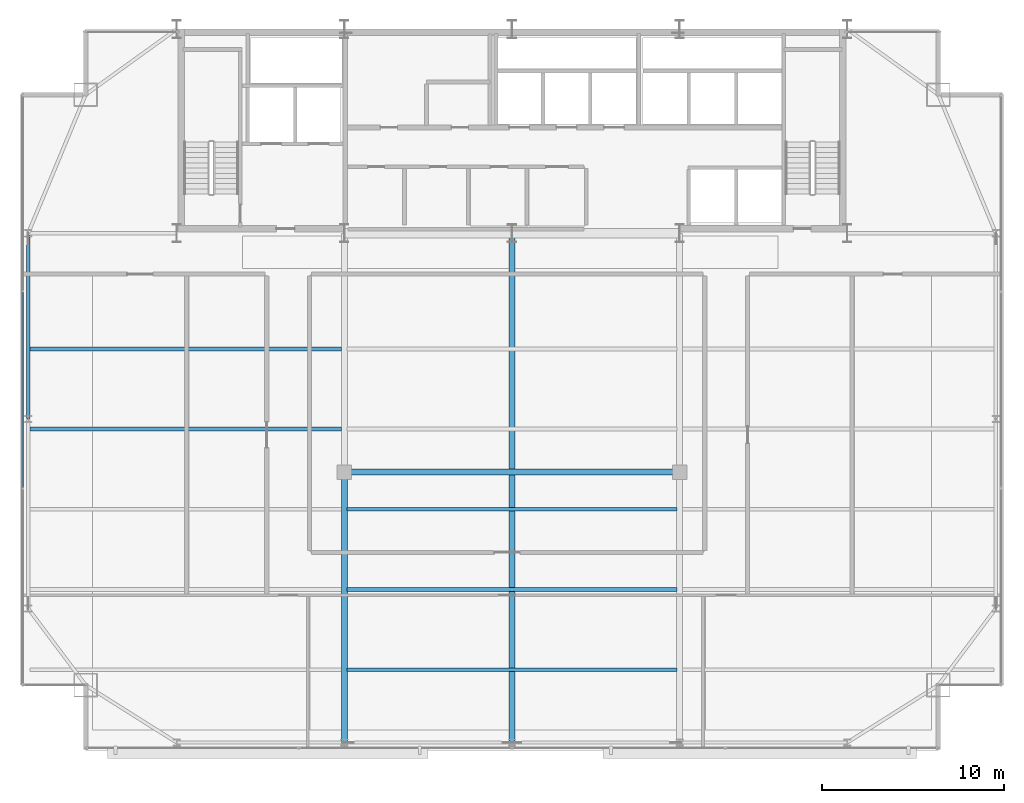
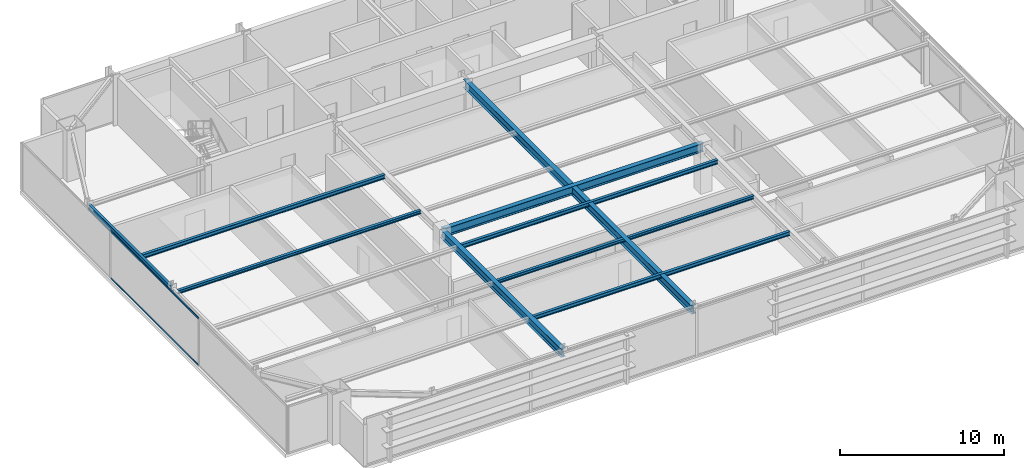
# One storey, part 10 of 29: 9 beams, 2 members, 1 element without a shape of its own.
"""IFC4 building model written with IfcOpenShell, lengths in metres."""

from ifc_helpers import new_model, si_unit, direction, frame, origin, origin_2d, place, context, subcontext, project, spatial, hollow_rectangle, i_section, extrude, source, transform, mapped, material, layer, layer_set, material_profile, profile_set, type_object, type_shapes, element, aggregate, save


model = new_model("IFC4")

# Units and contexts
model_context = context("Model", 3, precision=1e-05, world=origin(), true_north=direction((0.0, 1.0)))
body_context = subcontext(model_context, "Body", "Model", "MODEL_VIEW")
ifc_project = project(units=[si_unit("LENGTHUNIT", "METRE"), si_unit("AREAUNIT", "SQUARE_METRE"), si_unit("VOLUMEUNIT", "CUBIC_METRE"), si_unit("PLANEANGLEUNIT", "RADIAN"), si_unit("MASSUNIT", "GRAM", prefix="KILO")], contexts=[model_context])

# Site, building, storey
site_placement = place(None, origin())
site = spatial("IfcSite", under=ifc_project, at=site_placement, CompositionType="ELEMENT")
building_placement = place(site_placement, origin())
building = spatial("IfcBuilding", under=site, at=building_placement, Name="Varnel Quay Broadcast Tower", CompositionType="ELEMENT")
storey_placement = place(building_placement, frame((0.0, 0.0, 172.39990234375)))
storey = spatial("IfcBuildingStorey", under=building, at=storey_placement, Name="L42", CompositionType="ELEMENT", Elevation=172.39990234375)

# Beams
ifc_material_1 = material(Name="Structural Steel CSA G40.21 350W", Category="steel")
ifc_material_profile_1 = material_profile(ifc_material_1, i_section(OverallWidth=0.180908203125, OverallDepth=0.4169921875, WebThickness=0.010986328125, FlangeThickness=0.018310546875, FilletRadius=0.011962890625, at=origin_2d()), Name="W410X85")
ifc_profile_set_1 = profile_set([ifc_material_profile_1], Name="Structural Steel CSA G40.21 350W")
beam_type_1 = type_object("IfcBeamType", Name="Beam_W410X85", PredefinedType="SPANDREL", material=ifc_profile_set_1)
shared_shape_1 = source(origin(), body_context, "Body", "SweptSolid", [
    extrude(i_section(OverallWidth=0.180908203125, OverallDepth=0.4169921875, WebThickness=0.010986328125, FlangeThickness=0.018310546875, FilletRadius=0.011962890625, at=origin_2d()), origin(), (0.0, 0.0, 1.0), 10.16015625),
])
type_shapes(beam_type_1, [shared_shape_1])
beam_1_placement = place(storey_placement, frame((7.449951171875, 25.419921875, 3.341552734375), z_axis=(0.0, 1.0, 0.0), x_axis=(-1.0, 0.0, 0.0)))
element("IfcBeam", 1, at=beam_1_placement, inside=storey, type_object=beam_type_1, Name="L42 West Spandrel TC-W2-TC-W3", PredefinedType="SPANDREL", context=body_context, shape_type="MappedRepresentation", body=[
    mapped(shared_shape_1, transform((0.0, 0.0, 0.0), x_axis=(1.0, 0.0, 0.0), y_axis=(0.0, 1.0, 0.0), z_axis=(0.0, 0.0, 1.0), scale=1.0)),
])
ifc_material_profile_2 = material_profile(ifc_material_1, i_section(OverallWidth=0.324951171875, OverallDepth=0.615966796875, WebThickness=0.013916015625, FlangeThickness=0.021484375, FilletRadius=0.01611328125, at=origin_2d()), Name="W610X174")
ifc_profile_set_2 = profile_set([ifc_material_profile_2], Name="Structural Steel CSA G40.21 350W")
beam_type_2 = type_object("IfcBeamType", Name="Girder_W610X174", PredefinedType="BEAM", material=ifc_profile_set_2)
shared_shape_2 = source(origin(), body_context, "Body", "SweptSolid", [
    extrude(i_section(OverallWidth=0.324951171875, OverallDepth=0.615966796875, WebThickness=0.013916015625, FlangeThickness=0.021484375, FilletRadius=0.01611328125, at=origin_2d()), origin(), (0.0, 0.0, 1.0), 14.800048828125),
])
beam_2_placement = place(storey_placement, frame((24.800048828125, 7.669921875, 3.2421875), z_axis=(0.0, 1.0, 0.0), x_axis=(-1.0, 0.0, 0.0)))
element("IfcBeam", 2, at=beam_2_placement, inside=storey, type_object=beam_type_2, Name="L42 Primary Girder TC-S2-IC-01", PredefinedType="BEAM", context=body_context, shape_type="MappedRepresentation", body=[
    mapped(shared_shape_2, transform((0.0, 0.0, 0.0), x_axis=(1.0, 0.0, 0.0), y_axis=(0.0, 1.0, 0.0), z_axis=(0.0, 0.0, 1.0), scale=1.0)),
])
shared_shape_3 = source(origin(), body_context, "Body", "SweptSolid", [
    extrude(i_section(OverallWidth=0.324951171875, OverallDepth=0.615966796875, WebThickness=0.013916015625, FlangeThickness=0.021484375, FilletRadius=0.01611328125, at=origin_2d()), origin(), (0.0, 0.0, 1.0), 18.35986328125),
])
beam_3_placement = place(storey_placement, frame((24.820068359375, 22.489990234375, 3.2421875), z_axis=(1.0, 0.0, 0.0), x_axis=(0.0, 1.0, 0.0)))
element("IfcBeam", 3, at=beam_3_placement, inside=storey, type_object=beam_type_2, Name="L42 Interior Spine Girder", PredefinedType="BEAM", context=body_context, shape_type="MappedRepresentation", body=[
    mapped(shared_shape_3, transform((0.0, 0.0, 0.0), x_axis=(1.0, 0.0, 0.0), y_axis=(0.0, 1.0, 0.0), z_axis=(0.0, 0.0, 1.0), scale=1.0)),
])
shared_shape_4 = source(origin(), body_context, "Body", "SweptSolid", [
    extrude(i_section(OverallWidth=0.324951171875, OverallDepth=0.615966796875, WebThickness=0.013916015625, FlangeThickness=0.021484375, FilletRadius=0.01611328125, at=origin_2d()), origin(), (0.0, 0.0, 1.0), 27.91015625),
])
type_shapes(beam_type_2, [shared_shape_2, shared_shape_3, shared_shape_4])
beam_4_placement = place(storey_placement, frame((34.0, 7.669921875, 3.2421875), z_axis=(0.0, 1.0, 0.0), x_axis=(-1.0, 0.0, 0.0)))
element("IfcBeam", 4, at=beam_4_placement, inside=storey, type_object=beam_type_2, Name="L42 Central Bay Girder", PredefinedType="BEAM", context=body_context, shape_type="MappedRepresentation", body=[
    mapped(shared_shape_4, transform((0.0, 0.0, 0.0), x_axis=(1.0, 0.0, 0.0), y_axis=(0.0, 1.0, 0.0), z_axis=(0.0, 0.0, 1.0), scale=1.0)),
])
ifc_material_profile_3 = material_profile(ifc_material_1, i_section(OverallWidth=0.202880859375, OverallDepth=0.302978515625, WebThickness=0.007568359375, FlangeThickness=0.01318359375, FilletRadius=0.011962890625, at=origin_2d()), Name="W310X60")
ifc_profile_set_3 = profile_set([ifc_material_profile_3], Name="Structural Steel CSA G40.21 350W")
beam_type_3 = type_object("IfcBeamType", Name="Beam_W310X60", PredefinedType="JOIST", material=ifc_profile_set_3)
shared_shape_5 = source(origin(), body_context, "Body", "SweptSolid", [
    extrude(i_section(OverallWidth=0.202880859375, OverallDepth=0.302978515625, WebThickness=0.007568359375, FlangeThickness=0.01318359375, FilletRadius=0.011962890625, at=origin_2d()), origin(), (0.0, 0.0, 1.0), 17.107177734375),
])
beam_5_placement = place(storey_placement, frame((7.535400390625, 29.25, 3.398681640625), z_axis=(1.0, 0.0, 0.0), x_axis=(0.0, 1.0, 0.0)))
element("IfcBeam", 5, at=beam_5_placement, inside=storey, type_object=beam_type_3, Name="L42 West Floor Joist 5", PredefinedType="JOIST", context=body_context, shape_type="MappedRepresentation", body=[
    mapped(shared_shape_5, transform((0.0, 0.0, 0.0), x_axis=(1.0, 0.0, 0.0), y_axis=(0.0, 1.0, 0.0), z_axis=(0.0, 0.0, 1.0), scale=1.0)),
])
shared_shape_6 = source(origin(), body_context, "Body", "SweptSolid", [
    extrude(i_section(OverallWidth=0.202880859375, OverallDepth=0.302978515625, WebThickness=0.007568359375, FlangeThickness=0.01318359375, FilletRadius=0.011962890625, at=origin_2d()), origin(), (0.0, 0.0, 1.0), 18.0849609375),
])
type_shapes(beam_type_3, [shared_shape_5, shared_shape_6])
for number, where, z_axis, x_axis, name in (
    (6, (24.95751953125, 11.64990234375, 3.398681640625), (1.0, 0.0, 0.0), (0.0, 1.0, 0.0), "L42 Central Floor Joist 1"),
    (7, (24.95751953125, 20.449951171875, 3.398681640625), (1.0, 0.0, 0.0), (0.0, 1.0, 0.0), "L42 Central Floor Joist 3"),
):
    element("IfcBeam", number, at=place(storey_placement, frame(where, z_axis=z_axis, x_axis=x_axis)), inside=storey, type_object=beam_type_3, Name=name, PredefinedType="JOIST", context=body_context, shape_type="MappedRepresentation", body=[
        mapped(shared_shape_6, transform((0.0, 0.0, 0.0), x_axis=(1.0, 0.0, 0.0), y_axis=(0.0, 1.0, 0.0), z_axis=(0.0, 0.0, 1.0), scale=1.0)),
    ])
ifc_material_profile_4 = material_profile(ifc_material_1, i_section(OverallWidth=0.201904296875, OverallDepth=0.2470703125, WebThickness=0.00732421875, FlangeThickness=0.010986328125, FilletRadius=0.010986328125, at=origin_2d()), Name="W250X49")
ifc_profile_set_4 = profile_set([ifc_material_profile_4], Name="Structural Steel CSA G40.21 350W")
beam_type_4 = type_object("IfcBeamType", Name="Beam_W250X49", PredefinedType="JOIST", material=ifc_profile_set_4)
shared_shape_7 = source(origin(), body_context, "Body", "SweptSolid", [
    extrude(i_section(OverallWidth=0.201904296875, OverallDepth=0.2470703125, WebThickness=0.00732421875, FlangeThickness=0.010986328125, FilletRadius=0.010986328125, at=origin_2d()), origin(), (0.0, 0.0, 1.0), 17.107177734375),
])
beam_6_placement = place(storey_placement, frame((7.535400390625, 24.85009765625, 3.426513671875), z_axis=(1.0, 0.0, 0.0), x_axis=(0.0, 1.0, 0.0)))
element("IfcBeam", 8, at=beam_6_placement, inside=storey, type_object=beam_type_4, Name="L42 West Floor Joist 4", PredefinedType="JOIST", context=body_context, shape_type="MappedRepresentation", body=[
    mapped(shared_shape_7, transform((0.0, 0.0, 0.0), x_axis=(1.0, 0.0, 0.0), y_axis=(0.0, 1.0, 0.0), z_axis=(0.0, 0.0, 1.0), scale=1.0)),
])
shared_shape_8 = source(origin(), body_context, "Body", "SweptSolid", [
    extrude(i_section(OverallWidth=0.201904296875, OverallDepth=0.2470703125, WebThickness=0.00732421875, FlangeThickness=0.010986328125, FilletRadius=0.010986328125, at=origin_2d()), origin(), (0.0, 0.0, 1.0), 18.0849609375),
])
type_shapes(beam_type_4, [shared_shape_7, shared_shape_8])
beam_7_placement = place(storey_placement, frame((24.95751953125, 16.050048828125, 3.426513671875), z_axis=(1.0, 0.0, 0.0), x_axis=(0.0, 1.0, 0.0)))
element("IfcBeam", 9, at=beam_7_placement, inside=storey, type_object=beam_type_4, Name="L42 Central Floor Joist 2", PredefinedType="JOIST", context=body_context, shape_type="MappedRepresentation", body=[
    mapped(shared_shape_8, transform((0.0, 0.0, 0.0), x_axis=(1.0, 0.0, 0.0), y_axis=(0.0, 1.0, 0.0), z_axis=(0.0, 0.0, 1.0), scale=1.0)),
])

# Curtain wall, members
ifc_material_2 = material(Name="Anodised Bronze Aluminium 6063-T6", Category="aluminium")
ifc_layer = layer(ifc_material_2, 0.18994140625, Name="Anodised Bronze Aluminium 6063-T6")
ifc_layer_set = layer_set([ifc_layer], Name="Anodised Bronze Aluminium 6063-T6")
curtain_wall_type = type_object("IfcCurtainWallType", Name="CW_UpperTower", PredefinedType="NOTDEFINED", material=ifc_layer_set)
curtain_wall_placement = place(storey_placement, origin())
curtain_wall = element("IfcCurtainWall", 10, at=curtain_wall_placement, inside=storey, type_object=curtain_wall_type, Name="L42 West Unitised Curtain Wall", PredefinedType="NOTDEFINED")
ifc_material_profile_5 = material_profile(ifc_material_2, hollow_rectangle(XDim=0.06005859375, YDim=0.125, WallThickness=0.0029296875, at=origin_2d()), Name="ALU60X125X3")
ifc_profile_set_5 = profile_set([ifc_material_profile_5], Name="Anodised Bronze Aluminium 6063-T6")
member_type = type_object("IfcMemberType", Name="Tran_CWS-03", PredefinedType="USERDEFINED", material=ifc_profile_set_5)
shared_shape_9 = source(origin(), body_context, "Body", "SweptSolid", [
    extrude(hollow_rectangle(XDim=0.06005859375, YDim=0.125, WallThickness=0.0029296875, at=origin_2d()), origin(), (0.0, 0.0, 1.0), 10.73486328125),
])
type_shapes(member_type, [shared_shape_9])
member_1_placement = place(storey_placement, frame((7.14990234375, 21.632568359375, 0.030029296875), z_axis=(0.0, 1.0, 0.0), x_axis=(-1.0, 0.0, 0.0)))
member_1 = element("IfcMember", 11, at=member_1_placement, type_object=member_type, Name="CWS-03 transom 2.1", ObjectType="TRANSOM", PredefinedType="USERDEFINED", context=body_context, shape_type="MappedRepresentation", body=[
    mapped(shared_shape_9, transform((0.0, 0.0, 0.0), x_axis=(1.0, 0.0, 0.0), y_axis=(0.0, 1.0, 0.0), z_axis=(0.0, 0.0, 1.0), scale=1.0)),
])
member_2_placement = place(storey_placement, frame((7.14990234375, 21.632568359375, 3.52001953125), z_axis=(0.0, 1.0, 0.0), x_axis=(-1.0, 0.0, 0.0)))
member_2 = element("IfcMember", 12, at=member_2_placement, type_object=member_type, Name="CWS-03 transom 2.2", ObjectType="TRANSOM", PredefinedType="USERDEFINED", context=body_context, shape_type="MappedRepresentation", body=[
    mapped(shared_shape_9, transform((0.0, 0.0, 0.0), x_axis=(1.0, 0.0, 0.0), y_axis=(0.0, 1.0, 0.0), z_axis=(0.0, 0.0, 1.0), scale=1.0)),
])
aggregate(curtain_wall, [member_1, member_2])

save(model, "model.ifc")
